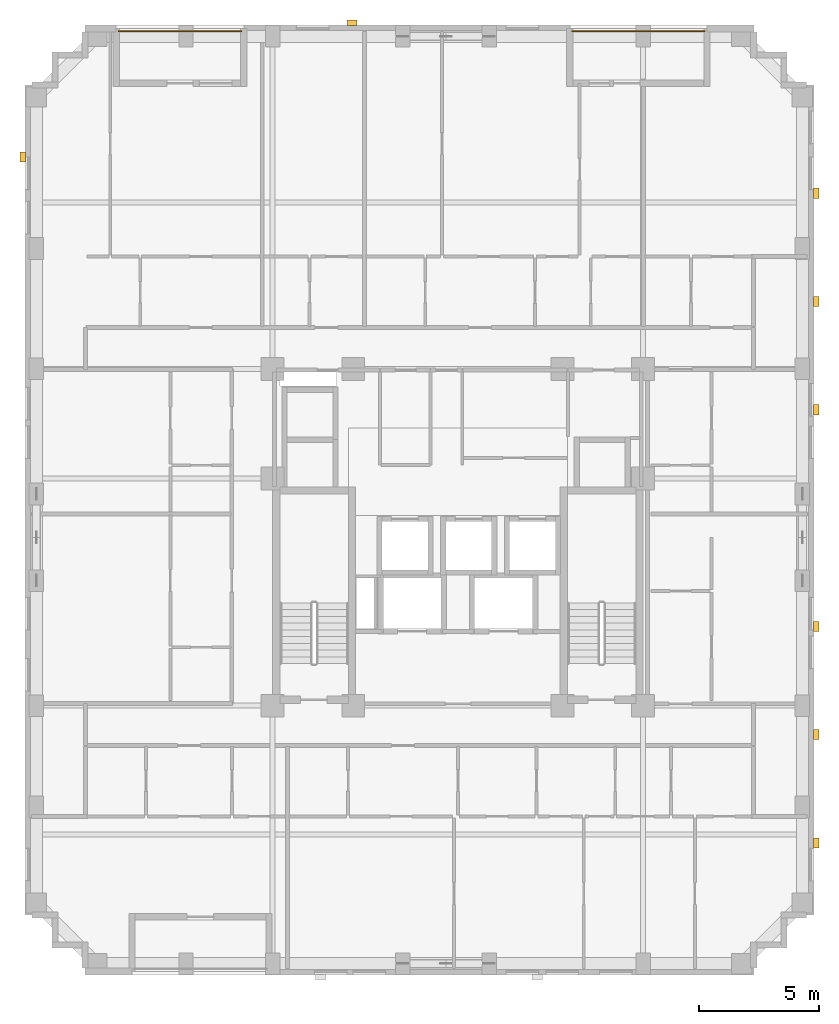
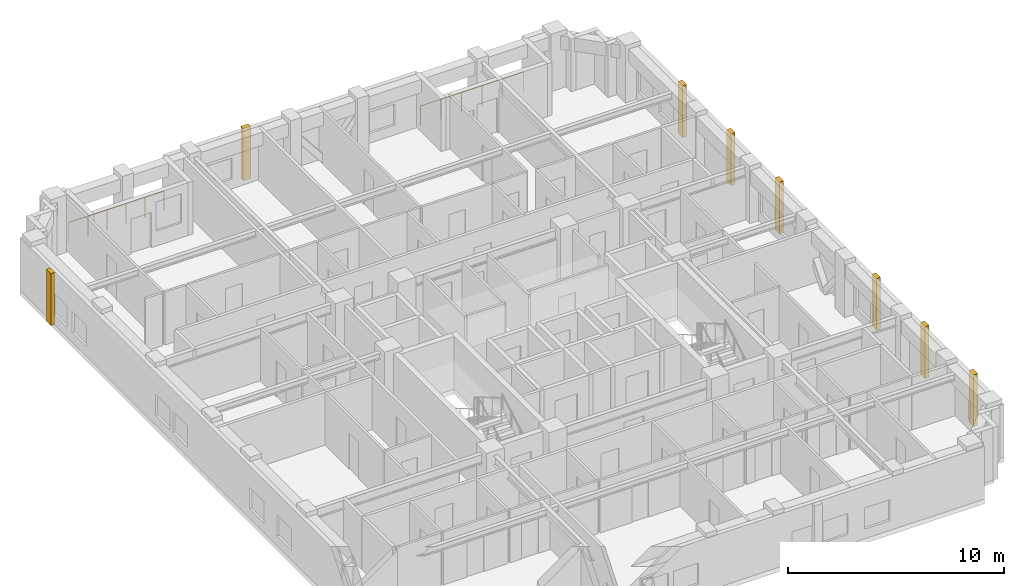
# One storey, part 11 of 11: 8 coverings, 2 railings.
"""IFC4 building model written with IfcOpenShell, lengths in metres."""

from ifc_helpers import new_model, si_unit, derived_unit, direction, frame, origin, origin_2d, place, context, subcontext, project, spatial, rectangle, circle, extrude, material, layer, layer_set, type_object, element, save


model = new_model("IFC4")

# Units and contexts
model_context = context("Model", 3, precision=1e-05, world=origin(), true_north=direction((0.0, 1.0)))
body_context = subcontext(model_context, "Body", "Model", "MODEL_VIEW")
ifc_project = project(units=[si_unit("LENGTHUNIT", "METRE"), si_unit("AREAUNIT", "SQUARE_METRE"), si_unit("VOLUMEUNIT", "CUBIC_METRE"), si_unit("PLANEANGLEUNIT", "RADIAN"), si_unit("MASSUNIT", "GRAM", prefix="KILO"), derived_unit("THERMALTRANSMITTANCEUNIT", [(si_unit("MASSUNIT", "GRAM", prefix="KILO"), 1), (si_unit("TIMEUNIT", "SECOND"), -3), (si_unit("THERMODYNAMICTEMPERATUREUNIT", "KELVIN"), -1)])], contexts=[model_context])

# Site, building, storey
site_placement = place(None, origin())
site = spatial("IfcSite", under=ifc_project, at=site_placement, CompositionType="ELEMENT")
building_placement = place(site_placement, origin())
building = spatial("IfcBuilding", under=site, at=building_placement, Name="Korrvale Station Residences", CompositionType="ELEMENT")
storey_placement = place(building_placement, frame((0.0, 0.0, 163.39990234375)))
storey = spatial("IfcBuildingStorey", under=building, at=storey_placement, Name="L47", CompositionType="ELEMENT", Elevation=163.39990234375)

# Coverings
ifc_material_1 = material(Name="Architectural precast concrete C45/55", Category="concrete")
ifc_layer = layer(ifc_material_1, 0.219970703125, Name="Architectural precast concrete C45/55")
ifc_layer_set = layer_set([ifc_layer], Name="Architectural precast concrete C45/55")
covering_type = type_object("IfcCoveringType", Name="COV-PIER-400", PredefinedType="CLADDING", material=ifc_layer_set)
for number, where, z_axis, x_axis, name in (
    (1, (21.10009765625, 43.389892578125, 0.025146484375), (0.0, 0.0, 1.0), (1.0, 0.0, 0.0), "L47 Architectural Precast Facade Pier 03"),
    (2, (7.409912109375, 37.800048828125, 0.025146484375), (0.0, 0.0, 1.0), (0.0, 1.0, 0.0), "L47 Architectural Precast Facade Pier 04"),
    (3, (40.389892578125, 36.300048828125, 0.025146484375), (0.0, 0.0, 1.0), (0.0, 1.0, 0.0), "L47 Architectural Precast Facade Pier 05"),
    (4, (40.389892578125, 31.800048828125, 0.025146484375), (0.0, 0.0, 1.0), (0.0, 1.0, 0.0), "L47 Architectural Precast Facade Pier 06"),
    (5, (40.389892578125, 27.300048828125, 0.025146484375), (0.0, 0.0, 1.0), (0.0, 1.0, 0.0), "L47 Architectural Precast Facade Pier 07"),
    (6, (40.389892578125, 18.300048828125, 0.025146484375), (0.0, 0.0, 1.0), (0.0, 1.0, 0.0), "L47 Architectural Precast Facade Pier 08"),
    (7, (40.389892578125, 13.800048828125, 0.025146484375), (0.0, 0.0, 1.0), (0.0, 1.0, 0.0), "L47 Architectural Precast Facade Pier 09"),
    (8, (40.389892578125, 9.300048828125, 0.025146484375), (0.0, 0.0, 1.0), (0.0, 1.0, 0.0), "L47 Architectural Precast Facade Pier 10"),
):
    element("IfcCovering", number, at=place(storey_placement, frame(where, z_axis=z_axis, x_axis=x_axis)), inside=storey, type_object=covering_type, Name=name, PredefinedType="CLADDING", context=body_context, shape_type="SweptSolid", body=[
        extrude(rectangle(XDim=0.419921875, YDim=0.219970703125, at=origin_2d()), origin(), (0.0, 0.0, 1.0), 2.93994140625),
    ])

# Railings
ifc_material_2 = material(Name="Powder-coated aluminium picket loggia guard", Category="aluminium")
railing_type = type_object("IfcRailingType", Name="RLG-BAL-1150", PredefinedType="GUARDRAIL", material=ifc_material_2)
railing_1_placement = place(storey_placement, frame((11.39990234375, 43.030029296875, 0.0)))
element("IfcRailing", 9, at=railing_1_placement, inside=storey, type_object=railing_type, Name="L47 Recessed Loggia Guardrail BAL-L47-N2", PredefinedType="GUARDRAIL", context=body_context, shape_type="SweptSolid", body=[
    extrude(circle(Radius=0.02392578125, at=origin_2d()), frame((0.0, 0.0, 1.1259765625), z_axis=(1.0, 0.0, 0.0), x_axis=(0.0, 1.0, 0.0)), (0.0, 0.0, 1.0), 5.10009765625),
    extrude(circle(Radius=0.02099609375, at=origin_2d()), origin(), (0.0, 0.0, 1.0), 1.101806640625),
    extrude(circle(Radius=0.02099609375, at=origin_2d()), frame((1.02001953125, 0.0, 0.0)), (0.0, 0.0, 1.0), 1.101806640625),
    extrude(circle(Radius=0.02099609375, at=origin_2d()), frame((2.0400390625, 0.0, 0.0)), (0.0, 0.0, 1.0), 1.101806640625),
    extrude(circle(Radius=0.02099609375, at=origin_2d()), frame((3.06005859375, 0.0, 0.0)), (0.0, 0.0, 1.0), 1.101806640625),
    extrude(circle(Radius=0.02099609375, at=origin_2d()), frame((4.080078125, 0.0, 0.0)), (0.0, 0.0, 1.0), 1.101806640625),
    extrude(circle(Radius=0.02099609375, at=origin_2d()), frame((5.10009765625, 0.0, 0.0)), (0.0, 0.0, 1.0), 1.101806640625),
])
railing_2_placement = place(storey_placement, frame((30.25, 43.030029296875, 0.0)))
element("IfcRailing", 10, at=railing_2_placement, inside=storey, type_object=railing_type, Name="L47 Recessed Loggia Guardrail BAL-L47-N1", PredefinedType="GUARDRAIL", context=body_context, shape_type="SweptSolid", body=[
    extrude(circle(Radius=0.02392578125, at=origin_2d()), frame((0.0, 0.0, 1.1259765625), z_axis=(1.0, 0.0, 0.0), x_axis=(0.0, 1.0, 0.0)), (0.0, 0.0, 1.0), 5.5),
    extrude(circle(Radius=0.02099609375, at=origin_2d()), origin(), (0.0, 0.0, 1.0), 1.101806640625),
    extrude(circle(Radius=0.02099609375, at=origin_2d()), frame((1.10009765625, 0.0, 0.0)), (0.0, 0.0, 1.0), 1.101806640625),
    extrude(circle(Radius=0.02099609375, at=origin_2d()), frame((2.199951171875, 0.0, 0.0)), (0.0, 0.0, 1.0), 1.101806640625),
    extrude(circle(Radius=0.02099609375, at=origin_2d()), frame((3.300048828125, 0.0, 0.0)), (0.0, 0.0, 1.0), 1.101806640625),
    extrude(circle(Radius=0.02099609375, at=origin_2d()), frame((4.39990234375, 0.0, 0.0)), (0.0, 0.0, 1.0), 1.101806640625),
    extrude(circle(Radius=0.02099609375, at=origin_2d()), frame((5.5, 0.0, 0.0)), (0.0, 0.0, 1.0), 1.101806640625),
])

save(model, "model.ifc")
